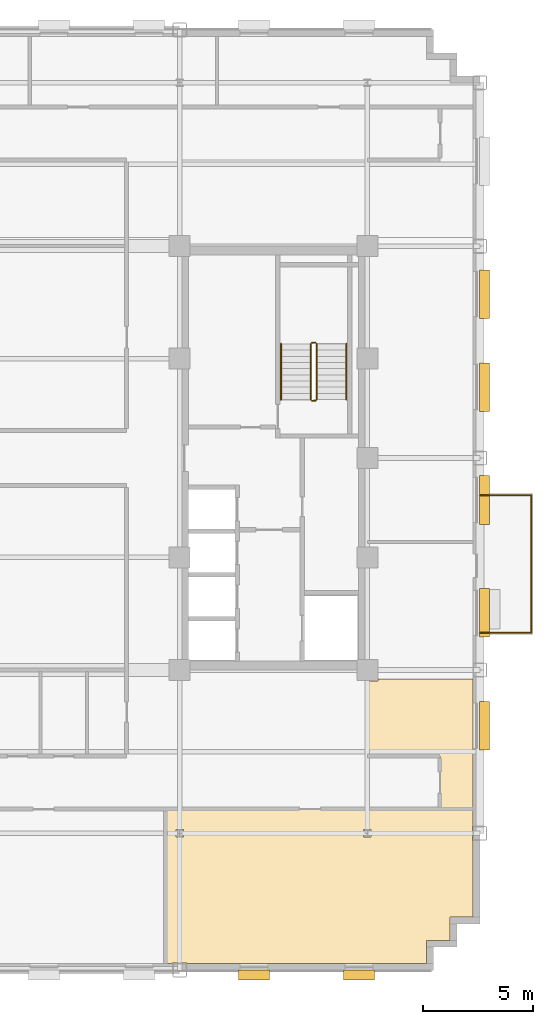
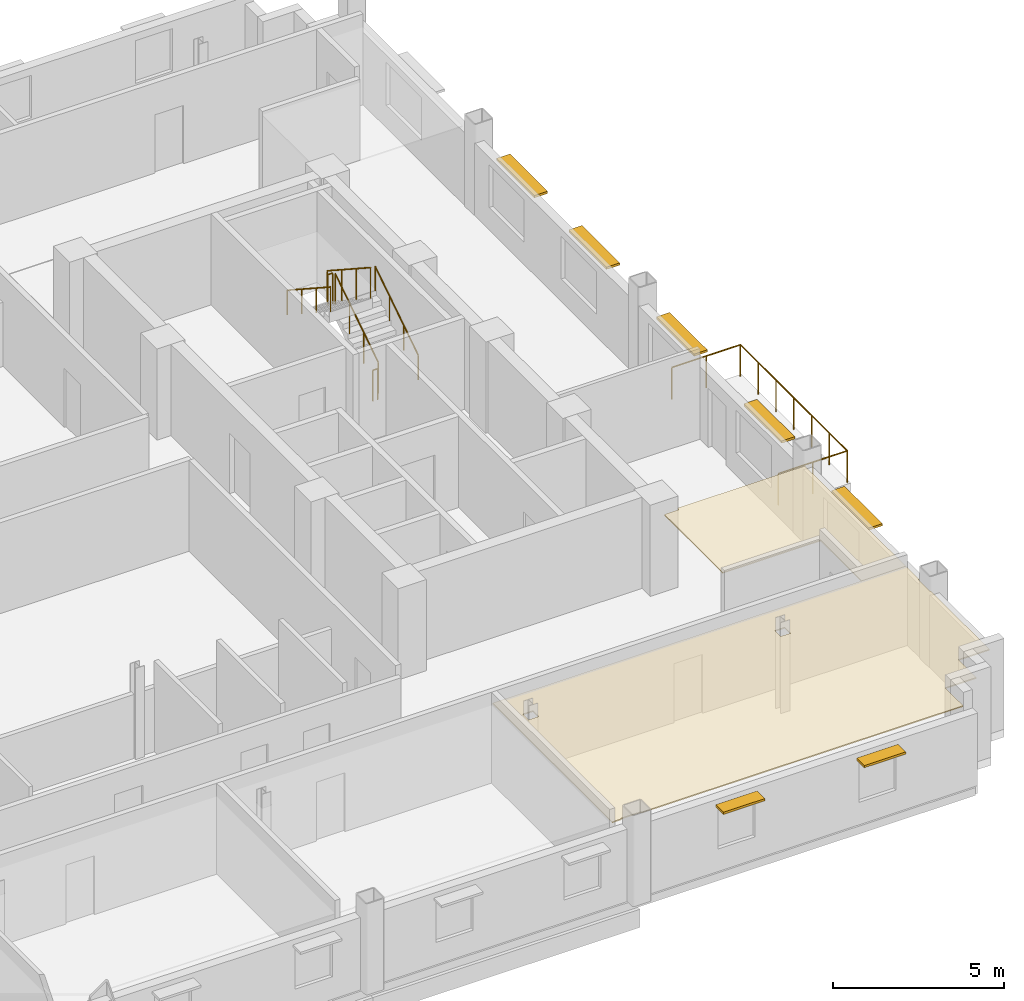
# One storey, part 13 of 14: 7 railings, 7 shading devices, 2 coverings.
"""IFC4 building model written with IfcOpenShell, lengths in metres."""

from ifc_helpers import new_model, si_unit, direction, frame, origin, origin_2d, place, context, subcontext, project, spatial, polyline, rectangle, circle, outline, extrude, source, transform, mapped, material, layer, layer_set, type_object, type_shapes, element, save


model = new_model("IFC4")

# Units and contexts
model_context = context("Model", 3, precision=1e-05, world=origin(), true_north=direction((0.0, 1.0)))
body_context = subcontext(model_context, "Body", "Model", "MODEL_VIEW")
ifc_project = project(units=[si_unit("LENGTHUNIT", "METRE"), si_unit("AREAUNIT", "SQUARE_METRE"), si_unit("VOLUMEUNIT", "CUBIC_METRE"), si_unit("PLANEANGLEUNIT", "RADIAN"), si_unit("MASSUNIT", "GRAM", prefix="KILO")], contexts=[model_context])

# Site, building, storey
site_placement = place(None, origin())
site = spatial("IfcSite", under=ifc_project, at=site_placement, CompositionType="ELEMENT")
building_placement = place(site_placement, origin())
building = spatial("IfcBuilding", under=site, at=building_placement, Name="Nuvemarco Arch Tower", CompositionType="ELEMENT")
storey_placement = place(building_placement, frame((0.0, 0.0, 182.25)))
storey = spatial("IfcBuildingStorey", under=building, at=storey_placement, Name="L48", CompositionType="ELEMENT", Elevation=182.25)

# Coverings
ifc_material_1 = material(Name="Mineral acoustic ceiling tile")
ifc_layer = layer(ifc_material_1, 0.0400390625, Name="COV-ACOUSTIC-CLG")
ifc_layer_set = layer_set([ifc_layer], Name="Mineral acoustic ceiling tile")
covering_type = type_object("IfcCoveringType", Name="COV-ACOUSTIC-CLG", PredefinedType="CEILING", material=ifc_layer_set)
covering_1_placement = place(storey_placement, frame((0.0, 0.0, 2.72998046875)))
element("IfcCovering", 1, at=covering_1_placement, inside=storey, type_object=covering_type, Name="L48 suspended acoustic ceiling 3", PredefinedType="CEILING", context=body_context, shape_type="SweptSolid", body=[
    extrude(outline(polyline([(20.18994140625, -22.889892578125), (9.340087890625, -22.889892578125), (9.340087890625, -22.860107421875), (8.659912109375, -22.860107421875), (8.659912109375, -22.889892578125), (8.35009765625, -22.889892578125), (8.35009765625, -15.89990234375), (9.0, -15.89990234375), (20.800048828125, -15.89990234375), (22.2900390625, -15.89990234375), (22.2900390625, -16.659912109375), (22.260009765625, -16.659912109375), (22.260009765625, -17.340087890625), (22.2900390625, -17.340087890625), (22.2900390625, -20.7900390625), (21.239990234375, -20.7900390625), (21.239990234375, -21.840087890625), (20.18994140625, -21.840087890625), (20.18994140625, -22.889892578125)]), holes=[polyline([(9.169921875, -17.169921875), (9.169921875, -16.830078125), (8.830078125, -16.830078125), (8.830078125, -17.169921875), (9.169921875, -17.169921875)]), polyline([(17.669921875, -17.169921875), (17.669921875, -16.830078125), (17.330078125, -16.830078125), (17.330078125, -17.169921875), (17.669921875, -17.169921875)])]), origin(), (0.0, 0.0, 1.0), 0.0400390625),
])
covering_2_placement = place(storey_placement, frame((0.0, 0.0, 2.72998046875)))
element("IfcCovering", 2, at=covering_2_placement, inside=storey, type_object=covering_type, Name="L48 suspended acoustic ceiling 9", PredefinedType="CEILING", context=body_context, shape_type="SweptSolid", body=[
    extrude(outline(polyline([(17.5, -10.090087890625), (17.989990234375, -10.090087890625), (17.989990234375, -10.0), (22.2900390625, -10.0), (22.2900390625, -15.89990234375), (20.800048828125, -15.89990234375), (20.800048828125, -13.5), (17.5, -13.5), (17.5, -10.090087890625)])), origin(), (0.0, 0.0, 1.0), 0.0400390625),
])

# Railings
ifc_material_2 = material(Name="Brushed stainless steel handrail", Category="steel")
railing_type_1 = type_object("IfcRailingType", Name="RL-HANDRAIL-900", PredefinedType="HANDRAIL", material=ifc_material_2)
railing_1_placement = place(storey_placement, frame((16.550048828125, 2.64990234375, 0.1826171875)))
element("IfcRailing", 3, at=railing_1_placement, inside=storey, type_object=railing_type_1, Name="L48 ST-2 stair handrail 1", PredefinedType="HANDRAIL", context=body_context, shape_type="SweptSolid", body=[
    extrude(circle(Radius=0.02392578125, at=origin_2d()), frame((0.0, 0.0, 0.8759765625), z_axis=(0.0, 0.837786554691, 0.545997883492), x_axis=(-1.0, 0.0, 0.0)), (0.0, 0.0, 1.0), 3.008056640625),
    extrude(circle(Radius=0.02099609375, at=origin_2d()), origin(), (0.0, 0.0, 1.0), 0.851806640625),
    extrude(circle(Radius=0.02099609375, at=origin_2d()), frame((0.0, 0.840087890625, 0.54736328125)), (0.0, 0.0, 1.0), 0.851806640625),
    extrude(circle(Radius=0.02099609375, at=origin_2d()), frame((0.0, 1.679931640625, 1.094970703125)), (0.0, 0.0, 1.0), 0.851806640625),
    extrude(circle(Radius=0.02099609375, at=origin_2d()), frame((0.0, 2.52001953125, 1.642333984375)), (0.0, 0.0, 1.0), 0.851806640625),
])
railing_2_placement = place(storey_placement, frame((13.590087890625, 5.169921875, 2.007568359375)))
element("IfcRailing", 4, at=railing_2_placement, inside=storey, type_object=railing_type_1, Name="L48 ST-2 stair handrail 2", PredefinedType="HANDRAIL", context=body_context, shape_type="SweptSolid", body=[
    extrude(circle(Radius=0.02392578125, at=origin_2d()), frame((0.0, 0.0, 0.8759765625), z_axis=(0.0, -0.837786554691, 0.545997883492), x_axis=(1.0, 0.0, 0.0)), (0.0, 0.0, 1.0), 3.008056640625),
    extrude(circle(Radius=0.02099609375, at=origin_2d()), origin(), (0.0, 0.0, 1.0), 0.851806640625),
    extrude(circle(Radius=0.02099609375, at=origin_2d()), frame((0.0, -0.840087890625, 0.54736328125)), (0.0, 0.0, 1.0), 0.851806640625),
    extrude(circle(Radius=0.02099609375, at=origin_2d()), frame((0.0, -1.679931640625, 1.094970703125)), (0.0, 0.0, 1.0), 0.851806640625),
    extrude(circle(Radius=0.02099609375, at=origin_2d()), frame((0.0, -2.52001953125, 1.642333984375)), (0.0, 0.0, 1.0), 0.851806640625),
])
ifc_material_3 = material(Name="Painted balustrade steel S355", Category="steel")
railing_type_2 = type_object("IfcRailingType", Name="RL-STAIR-GUARD", PredefinedType="GUARDRAIL", material=ifc_material_3)
railing_3_placement = place(storey_placement, frame((15.199951171875, 2.64990234375, 0.1826171875)))
element("IfcRailing", 5, at=railing_3_placement, inside=storey, type_object=railing_type_2, Name="L48 ST-2 stair guard 1", PredefinedType="GUARDRAIL", context=body_context, shape_type="SweptSolid", body=[
    extrude(circle(Radius=0.02392578125, at=origin_2d()), frame((0.0, 0.0, 1.09619140625), z_axis=(0.0, 0.837786554691, 0.545997883492), x_axis=(-1.0, 0.0, 0.0)), (0.0, 0.0, 1.0), 3.008056640625),
    extrude(circle(Radius=0.02099609375, at=origin_2d()), origin(), (0.0, 0.0, 1.0), 1.072021484375),
    extrude(circle(Radius=0.02099609375, at=origin_2d()), frame((0.0, 0.840087890625, 0.54736328125)), (0.0, 0.0, 1.0), 1.072021484375),
    extrude(circle(Radius=0.02099609375, at=origin_2d()), frame((0.0, 1.679931640625, 1.094970703125)), (0.0, 0.0, 1.0), 1.072021484375),
    extrude(circle(Radius=0.02099609375, at=origin_2d()), frame((0.0, 2.52001953125, 1.642333984375)), (0.0, 0.0, 1.0), 1.072021484375),
])
railing_4_placement = place(storey_placement, frame((15.14990234375, 5.219970703125, 1.824951171875)))
element("IfcRailing", 6, at=railing_4_placement, inside=storey, type_object=railing_type_2, Name="L48 ST-2 stair guard 2", PredefinedType="GUARDRAIL", context=body_context, shape_type="SweptSolid", body=[
    extrude(circle(Radius=0.02392578125, at=origin_2d()), frame((0.0, 0.0, 1.09619140625), z_axis=(-1.0, 0.0, 0.0), x_axis=(0.0, -1.0, 0.0)), (0.0, 0.0, 1.0), 0.159912109375),
    extrude(circle(Radius=0.02099609375, at=origin_2d()), origin(), (0.0, 0.0, 1.0), 1.072021484375),
    extrude(circle(Radius=0.02099609375, at=origin_2d()), frame((-0.159912109375, 0.0, 0.0)), (0.0, 0.0, 1.0), 1.072021484375),
])
railing_5_placement = place(storey_placement, frame((14.93994140625, 5.169921875, 2.007568359375)))
element("IfcRailing", 7, at=railing_5_placement, inside=storey, type_object=railing_type_2, Name="L48 ST-2 stair guard 3", PredefinedType="GUARDRAIL", context=body_context, shape_type="SweptSolid", body=[
    extrude(circle(Radius=0.02392578125, at=origin_2d()), frame((0.0, 0.0, 1.09619140625), z_axis=(0.0, -0.837786554691, 0.545997883492), x_axis=(1.0, 0.0, 0.0)), (0.0, 0.0, 1.0), 3.008056640625),
    extrude(circle(Radius=0.02099609375, at=origin_2d()), origin(), (0.0, 0.0, 1.0), 1.072021484375),
    extrude(circle(Radius=0.02099609375, at=origin_2d()), frame((0.0, -0.840087890625, 0.54736328125)), (0.0, 0.0, 1.0), 1.072021484375),
    extrude(circle(Radius=0.02099609375, at=origin_2d()), frame((0.0, -1.679931640625, 1.094970703125)), (0.0, 0.0, 1.0), 1.072021484375),
    extrude(circle(Radius=0.02099609375, at=origin_2d()), frame((0.0, -2.52001953125, 1.642333984375)), (0.0, 0.0, 1.0), 1.072021484375),
])
railing_6_placement = place(storey_placement, frame((15.14990234375, 2.60009765625, 0.0)))
element("IfcRailing", 8, at=railing_6_placement, inside=storey, type_object=railing_type_2, Name="L48 ST-2 stair guard 4", PredefinedType="GUARDRAIL", context=body_context, shape_type="SweptSolid", body=[
    extrude(circle(Radius=0.02392578125, at=origin_2d()), frame((0.0, 0.0, 1.09619140625), z_axis=(-1.0, 0.0, 0.0), x_axis=(0.0, -1.0, 0.0)), (0.0, 0.0, 1.0), 0.159912109375),
    extrude(circle(Radius=0.02099609375, at=origin_2d()), origin(), (0.0, 0.0, 1.0), 1.072021484375),
    extrude(circle(Radius=0.02099609375, at=origin_2d()), frame((-0.159912109375, 0.0, 0.0)), (0.0, 0.0, 1.0), 1.072021484375),
])
ifc_material_4 = material(Name="Dark anodised balustrade steel S355", Category="steel")
railing_type_3 = type_object("IfcRailingType", Name="RL-TERR-GUARD", PredefinedType="BALUSTRADE", material=ifc_material_4)
railing_7_placement = place(storey_placement, frame((22.60009765625, -7.919921875, 0.0)))
element("IfcRailing", 9, at=railing_7_placement, inside=storey, type_object=railing_type_3, Name="L48 spiral terrace perimeter balustrade guard", PredefinedType="BALUSTRADE", context=body_context, shape_type="SweptSolid", body=[
    extrude(circle(Radius=0.02392578125, at=origin_2d()), frame((0.0, 0.0, 1.1259765625), z_axis=(1.0, 0.0, 0.0), x_axis=(0.0, 1.0, 0.0)), (0.0, 0.0, 1.0), 2.31982421875),
    extrude(circle(Radius=0.02392578125, at=origin_2d()), frame((2.31982421875, 0.0, 1.1259765625), z_axis=(0.0, 1.0, 0.0), x_axis=(-1.0, 0.0, 0.0)), (0.0, 0.0, 1.0), 6.239990234375),
    extrude(circle(Radius=0.02392578125, at=origin_2d()), frame((2.31982421875, 6.239990234375, 1.1259765625), z_axis=(-1.0, 0.0, 0.0), x_axis=(0.0, -1.0, 0.0)), (0.0, 0.0, 1.0), 2.31982421875),
    extrude(circle(Radius=0.02099609375, at=origin_2d()), origin(), (0.0, 0.0, 1.0), 1.101806640625),
    extrude(circle(Radius=0.02099609375, at=origin_2d()), frame((1.159912109375, 0.0, 0.0)), (0.0, 0.0, 1.0), 1.101806640625),
    extrude(circle(Radius=0.02099609375, at=origin_2d()), frame((2.31982421875, 0.0, 0.0)), (0.0, 0.0, 1.0), 1.101806640625),
    extrude(circle(Radius=0.02099609375, at=origin_2d()), frame((2.31982421875, 1.0400390625, 0.0)), (0.0, 0.0, 1.0), 1.101806640625),
    extrude(circle(Radius=0.02099609375, at=origin_2d()), frame((2.31982421875, 2.080078125, 0.0)), (0.0, 0.0, 1.0), 1.101806640625),
    extrude(circle(Radius=0.02099609375, at=origin_2d()), frame((2.31982421875, 3.1201171875, 0.0)), (0.0, 0.0, 1.0), 1.101806640625),
    extrude(circle(Radius=0.02099609375, at=origin_2d()), frame((2.31982421875, 4.159912109375, 0.0)), (0.0, 0.0, 1.0), 1.101806640625),
    extrude(circle(Radius=0.02099609375, at=origin_2d()), frame((2.31982421875, 5.199951171875, 0.0)), (0.0, 0.0, 1.0), 1.101806640625),
    extrude(circle(Radius=0.02099609375, at=origin_2d()), frame((2.31982421875, 6.239990234375, 0.0)), (0.0, 0.0, 1.0), 1.101806640625),
    extrude(circle(Radius=0.02099609375, at=origin_2d()), frame((1.159912109375, 6.239990234375, 0.0)), (0.0, 0.0, 1.0), 1.101806640625),
    extrude(circle(Radius=0.02099609375, at=origin_2d()), frame((0.0, 6.239990234375, 0.0)), (0.0, 0.0, 1.0), 1.101806640625),
])

# Shading devices
ifc_material_5 = material(Name="Anodised aluminium 6063-T6", Category="aluminium")
shading_device_type_1 = type_object("IfcShadingDeviceType", Name="SHD-BRISE-SOLEIL", PredefinedType="USERDEFINED", material=ifc_material_5)
shared_shape_1 = source(origin(), body_context, "Body", "SweptSolid", [
    extrude(rectangle(XDim=2.199951171875, YDim=0.449951171875, at=origin_2d()), origin(), (0.0, 0.0, 1.0), 0.080078125),
])
type_shapes(shading_device_type_1, [shared_shape_1])
for number, where, z_axis, x_axis, name in (
    (10, (22.81494140625, -12.125, 2.324951171875), (0.0, 0.0, 1.0), (0.0, 1.0, 0.0), "L48 horizontal brise-soleil sunshade"),
    (11, (22.81494140625, -7.0126953125, 2.324951171875), (0.0, 0.0, 1.0), (0.0, 1.0, 0.0), "L48 horizontal brise-soleil sunshade"),
    (12, (22.81494140625, -1.89990234375, 2.324951171875), (0.0, 0.0, 1.0), (0.0, 1.0, 0.0), "L48 horizontal brise-soleil sunshade"),
    (13, (22.81494140625, 3.212646484375, 2.324951171875), (0.0, 0.0, 1.0), (0.0, 1.0, 0.0), "L48 horizontal brise-soleil sunshade"),
    (14, (22.81494140625, 7.425048828125, 2.324951171875), (0.0, 0.0, 1.0), (0.0, 1.0, 0.0), "L48 horizontal brise-soleil sunshade"),
):
    element("IfcShadingDevice", number, at=place(storey_placement, frame(where, z_axis=z_axis, x_axis=x_axis)), inside=storey, type_object=shading_device_type_1, Name=name, ObjectType="SUNSHADE", PredefinedType="USERDEFINED", context=body_context, shape_type="MappedRepresentation", body=[
        mapped(shared_shape_1, transform((0.0, 0.0, 0.0), scale=1.0)),
    ])
shading_device_type_2 = type_object("IfcShadingDeviceType", Name="SHD-BRISE-NARROW", PredefinedType="USERDEFINED", material=ifc_material_5)
shared_shape_2 = source(origin(), body_context, "Body", "SweptSolid", [
    extrude(rectangle(XDim=1.39990234375, YDim=0.449951171875, at=origin_2d()), origin(), (0.0, 0.0, 1.0), 0.080078125),
])
type_shapes(shading_device_type_2, [shared_shape_2])
for number, where, z_axis, x_axis, name in (
    (15, (12.36669921875, -23.4150390625, 2.324951171875), (0.0, 0.0, 1.0), (1.0, 0.0, 0.0), "L48 horizontal brise-soleil sunshade"),
    (16, (17.122314453125, -23.4150390625, 2.324951171875), (0.0, 0.0, 1.0), (1.0, 0.0, 0.0), "L48 horizontal brise-soleil sunshade"),
):
    element("IfcShadingDevice", number, at=place(storey_placement, frame(where, z_axis=z_axis, x_axis=x_axis)), inside=storey, type_object=shading_device_type_2, Name=name, ObjectType="SUNSHADE", PredefinedType="USERDEFINED", context=body_context, shape_type="MappedRepresentation", body=[
        mapped(shared_shape_2, transform((0.0, 0.0, 0.0), scale=1.0)),
    ])

save(model, "model.ifc")
